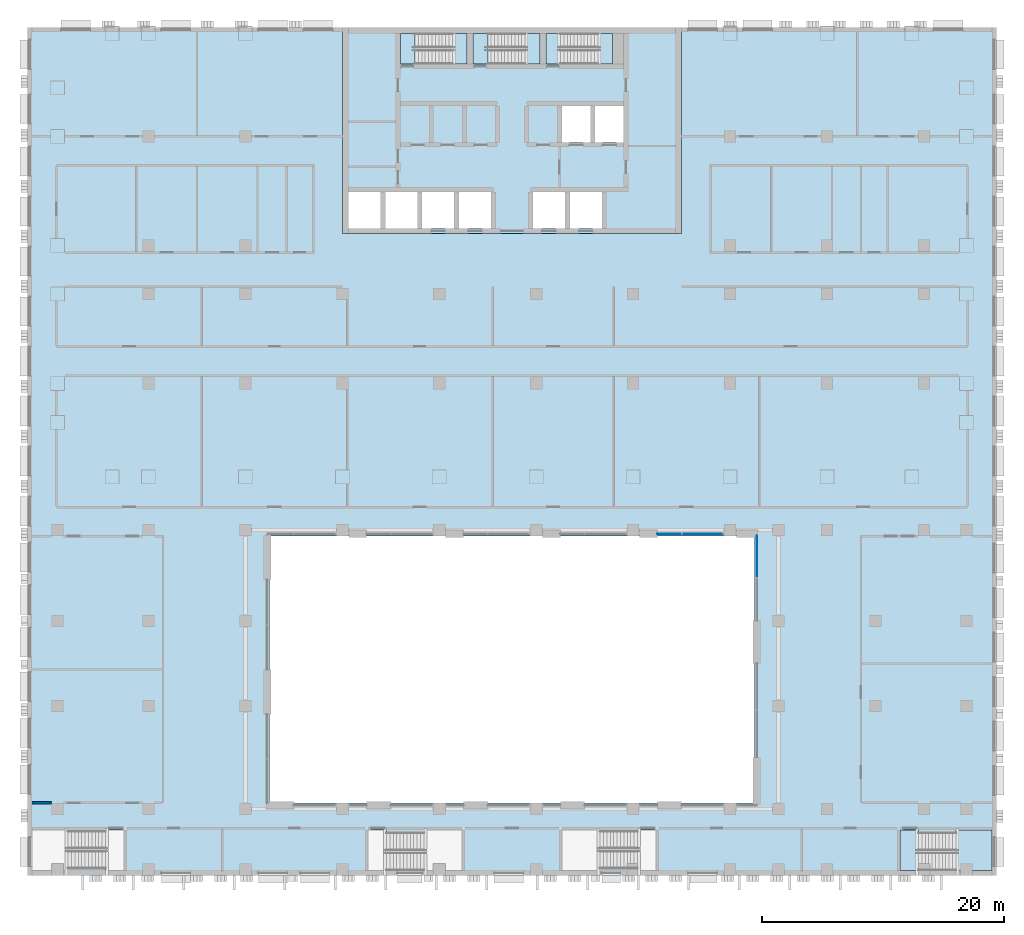
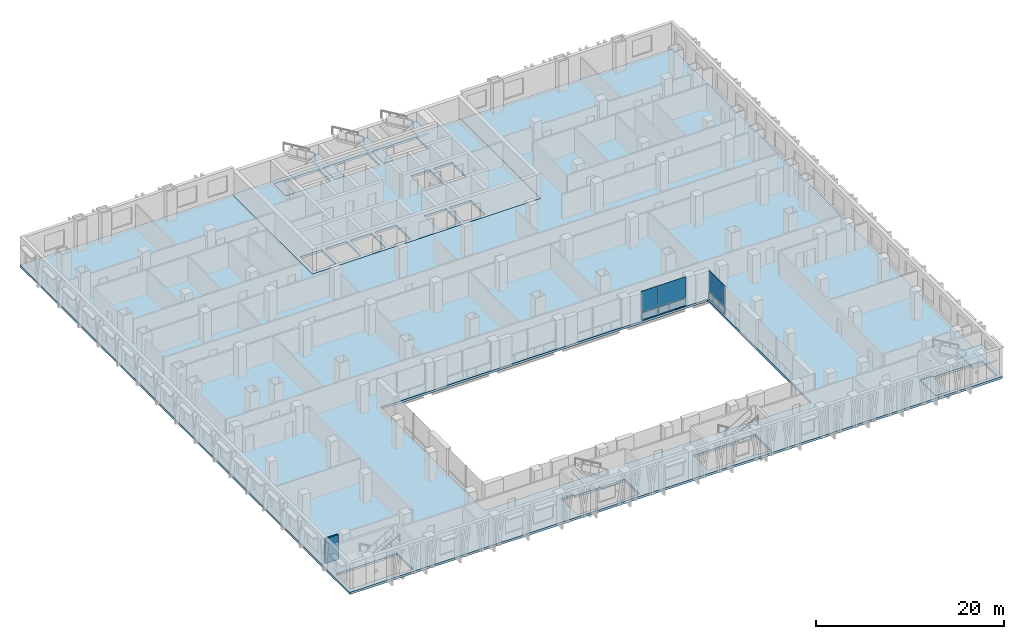
# One storey, part 6 of 24: 10 slabs, 6 plates, 1 wall, 6 elements without a shape of their own.
"""IFC4 building model written with IfcOpenShell, lengths in metres."""

from ifc_helpers import new_model, si_unit, direction, frame, frame_2d, origin, origin_2d, place, context, subcontext, project, spatial, polyline, rectangle, outline, extrude, material, layer, layer_set, type_object, element, aggregate, save


model = new_model("IFC4")

# Units and contexts
model_context = context("Model", 3, precision=1e-05, world=origin(), true_north=direction((0.0, 1.0)))
body_context = subcontext(model_context, "Body", "Model", "MODEL_VIEW")
ifc_project = project(units=[si_unit("LENGTHUNIT", "METRE"), si_unit("AREAUNIT", "SQUARE_METRE"), si_unit("VOLUMEUNIT", "CUBIC_METRE"), si_unit("PLANEANGLEUNIT", "RADIAN"), si_unit("MASSUNIT", "GRAM", prefix="KILO")], contexts=[model_context])

# Site, building, storey
site_placement = place(None, origin())
site = spatial("IfcSite", under=ifc_project, at=site_placement, CompositionType="ELEMENT")
building_placement = place(site_placement, origin())
building = spatial("IfcBuilding", under=site, at=building_placement, Name="Vidyagriha Tower", CompositionType="ELEMENT")
storey_placement = place(building_placement, frame((0.0, 0.0, 22.0)))
storey = spatial("IfcBuildingStorey", under=building, at=storey_placement, Name="L05", CompositionType="ELEMENT", Elevation=22.0)

# Curtain wall, plates
ifc_material_1 = material(Name="Aluminium and glass curtain wall", Category="aluminium")
curtain_wall_type = type_object("IfcCurtainWallType", Name="Atrium screen curtain wall", PredefinedType="USERDEFINED", material=ifc_material_1)
curtain_wall_1_placement = place(storey_placement, origin())
curtain_wall_1 = element("IfcCurtainWall", 1, at=curtain_wall_1_placement, inside=storey, type_object=curtain_wall_type, Name="CW6 atrium screen", ObjectType="UNITISED", PredefinedType="USERDEFINED")
ifc_material_2 = material(Name="Glass dark ceramic-fritted spandrel", Category="glass")
ifc_layer_1 = layer(ifc_material_2, 0.0400390625)
ifc_layer_set_1 = layer_set([ifc_layer_1], Name="Glass dark ceramic-fritted spandrel")
plate_type_1 = type_object("IfcPlateType", Name="Ceramic-fritted spandrel panel", PredefinedType="CURTAIN_PANEL", material=ifc_layer_set_1)
plate_1_placement = place(storey_placement, frame((12.982421875, -21.800048828125, 0.0)))
plate_1 = element("IfcPlate", 2, at=plate_1_placement, type_object=plate_type_1, Name="CW6 panel 1.1", PredefinedType="CURTAIN_PANEL", context=body_context, shape_type="SweptSolid", body=[
    extrude(rectangle(XDim=1.965087890625, YDim=0.0400390625, at=origin_2d()), origin(), (0.0, 0.0, 1.0), 0.85009765625),
])
plate_2_placement = place(storey_placement, frame((15.717529296875, -21.800048828125, 0.0)))
plate_2 = element("IfcPlate", 3, at=plate_2_placement, type_object=plate_type_1, Name="CW6 panel 2.1", PredefinedType="CURTAIN_PANEL", context=body_context, shape_type="SweptSolid", body=[
    extrude(rectangle(XDim=3.364990234375, YDim=0.0400390625, at=origin_2d()), origin(), (0.0, 0.0, 1.0), 0.85009765625),
])

# Curtain wall, plate
curtain_wall_2_placement = place(storey_placement, origin())
curtain_wall_2 = element("IfcCurtainWall", 4, at=curtain_wall_2_placement, inside=storey, type_object=curtain_wall_type, Name="CW6 atrium screen", ObjectType="UNITISED", PredefinedType="USERDEFINED")
plate_3_placement = place(storey_placement, frame((20.199951171875, -23.66748046875, 0.0), z_axis=(0.0, 0.0, 1.0), x_axis=(0.0, -1.0, 0.0)))
plate_3 = element("IfcPlate", 5, at=plate_3_placement, type_object=plate_type_1, Name="CW6 panel 1.1", PredefinedType="CURTAIN_PANEL", context=body_context, shape_type="SweptSolid", body=[
    extrude(rectangle(XDim=3.43505859375, YDim=0.0400390625, at=origin_2d()), origin(), (0.0, 0.0, 1.0), 0.85009765625),
])

# Slab
ifc_material_3 = material(Name="Concrete C60/75", Category="concrete")
ifc_layer_2 = layer(ifc_material_3, 0.300048828125)
ifc_layer_set_2 = layer_set([ifc_layer_2], Name="Concrete C60/75")
slab_type_1 = type_object("IfcSlabType", Name="Core floor slab 300 mm", PredefinedType="FLOOR", material=ifc_layer_set_2)
slab_1_placement = place(storey_placement, frame((0.0, 0.0, -0.300048828125)))
element("IfcSlab", 6, at=slab_1_placement, inside=storey, type_object=slab_type_1, Name="L05 core floor 1", PredefinedType="FLOOR", context=body_context, shape_type="SweptSolid", body=[
    extrude(outline(polyline([(-14.0, 3.0), (-14.0, 20.0), (14.0, 20.0), (14.0, 3.0), (-14.0, 3.0)]), holes=[polyline([(9.199951171875, 13.5), (6.86669921875, 13.5), (6.86669921875, 10.5), (9.199951171875, 10.5), (9.199951171875, 13.5)]), polyline([(4.0, 19.5), (2.800048828125, 19.5), (2.800048828125, 16.949951171875), (4.0, 16.949951171875), (8.300048828125, 16.949951171875), (8.300048828125, 19.5), (4.0, 19.5)]), polyline([(7.4111328125, 6.39990234375), (4.7666015625, 6.39990234375), (4.7666015625, 3.39990234375), (7.4111328125, 3.39990234375), (7.4111328125, 6.39990234375)]), polyline([(6.466796875, 13.5), (4.13330078125, 13.5), (4.13330078125, 10.5), (6.466796875, 10.5), (6.466796875, 13.5)]), polyline([(1.72216796875, 6.39990234375), (1.72216796875, 3.39990234375), (4.36669921875, 3.39990234375), (4.36669921875, 6.39990234375), (1.72216796875, 6.39990234375)]), polyline([(-2.0, 16.949951171875), (2.300048828125, 16.949951171875), (2.300048828125, 19.5), (-2.0, 19.5), (-3.199951171875, 19.5), (-3.199951171875, 16.949951171875), (-2.0, 16.949951171875)]), polyline([(-1.72216796875, 6.39990234375), (-4.36669921875, 6.39990234375), (-4.36669921875, 3.39990234375), (-1.72216796875, 3.39990234375), (-1.72216796875, 6.39990234375)]), polyline([(-8.0, 19.5), (-9.199951171875, 19.5), (-9.199951171875, 16.949951171875), (-8.0, 16.949951171875), (-3.699951171875, 16.949951171875), (-3.699951171875, 19.5), (-8.0, 19.5)]), polyline([(-4.7666015625, 6.39990234375), (-7.4111328125, 6.39990234375), (-7.4111328125, 3.39990234375), (-4.7666015625, 3.39990234375), (-4.7666015625, 6.39990234375)]), polyline([(-7.81103515625, 6.39990234375), (-10.45556640625, 6.39990234375), (-10.45556640625, 3.39990234375), (-7.81103515625, 3.39990234375), (-7.81103515625, 6.39990234375)]), polyline([(-13.5, 6.39990234375), (-13.5, 3.39990234375), (-10.855712890625, 3.39990234375), (-10.855712890625, 6.39990234375), (-13.5, 6.39990234375)])]), origin(), (0.0, 0.0, 1.0), 0.300048828125),
])

# Plate
ifc_material_4 = material(Name="Glass dark ceramic-fritted", Category="glass")
ifc_layer_3 = layer(ifc_material_4, 0.028076171875)
ifc_layer_set_3 = layer_set([ifc_layer_3], Name="Glass dark ceramic-fritted")
plate_type_2 = type_object("IfcPlateType", Name="Dark ceramic-fritted vision glass panel", PredefinedType="CURTAIN_PANEL", material=ifc_layer_set_3)
plate_4_placement = place(storey_placement, frame((12.982421875, -21.800048828125, 0.949951171875)))
plate_4 = element("IfcPlate", 7, at=plate_4_placement, type_object=plate_type_2, Name="CW6 panel 1.2", PredefinedType="CURTAIN_PANEL", context=body_context, shape_type="SweptSolid", body=[
    extrude(rectangle(XDim=1.965087890625, YDim=0.028076171875, at=origin_2d()), origin(), (0.0, 0.0, 1.0), 2.75),
])

plate_5_placement = place(storey_placement, frame((15.717529296875, -21.800048828125, 0.949951171875)))
plate_5 = element("IfcPlate", 8, at=plate_5_placement, type_object=plate_type_2, Name="CW6 panel 2.2", PredefinedType="CURTAIN_PANEL", context=body_context, shape_type="SweptSolid", body=[
    extrude(rectangle(XDim=3.364990234375, YDim=0.028076171875, at=origin_2d()), origin(), (0.0, 0.0, 1.0), 2.75),
])

aggregate(curtain_wall_1, [plate_1, plate_4, plate_2, plate_5])

plate_6_placement = place(storey_placement, frame((20.199951171875, -23.66748046875, 0.949951171875), z_axis=(0.0, 0.0, 1.0), x_axis=(0.0, -1.0, 0.0)))
plate_6 = element("IfcPlate", 9, at=plate_6_placement, type_object=plate_type_2, Name="CW6 panel 1.2", PredefinedType="CURTAIN_PANEL", context=body_context, shape_type="SweptSolid", body=[
    extrude(rectangle(XDim=3.43505859375, YDim=0.028076171875, at=origin_2d()), origin(), (0.0, 0.0, 1.0), 2.75),
])

aggregate(curtain_wall_2, [plate_3, plate_6])

# Slabs
ifc_material_5 = material(Name="Concrete C40/50", Category="concrete")
ifc_layer_4 = layer(ifc_material_5, 0.300048828125)
ifc_layer_set_4 = layer_set([ifc_layer_4], Name="Concrete C40/50")
slab_type_2 = type_object("IfcSlabType", Name="Exit stair floor landing 300 mm", PredefinedType="LANDING", material=ifc_layer_set_4)
slab_2_placement = place(storey_placement, frame((0.0, 0.0, -0.300048828125)))
element("IfcSlab", 10, at=slab_2_placement, inside=storey, type_object=slab_type_2, Name="ST1 floor landing L05", PredefinedType="LANDING", context=body_context, shape_type="SweptSolid", body=[
    extrude(outline(polyline([(-9.199951171875, 16.949951171875), (-8.0, 16.949951171875), (-8.0, 19.5), (-9.199951171875, 19.5), (-9.199951171875, 16.949951171875)])), origin(), (0.0, 0.0, 1.0), 0.300048828125),
])
slab_3_placement = place(storey_placement, frame((0.0, 0.0, -0.300048828125)))
element("IfcSlab", 11, at=slab_3_placement, inside=storey, type_object=slab_type_2, Name="ST2 floor landing L05", PredefinedType="LANDING", context=body_context, shape_type="SweptSolid", body=[
    extrude(outline(polyline([(-3.199951171875, 16.949951171875), (-2.0, 16.949951171875), (-2.0, 19.5), (-3.199951171875, 19.5), (-3.199951171875, 16.949951171875)])), origin(), (0.0, 0.0, 1.0), 0.300048828125),
])
slab_4_placement = place(storey_placement, frame((0.0, 0.0, -0.300048828125)))
element("IfcSlab", 12, at=slab_4_placement, inside=storey, type_object=slab_type_2, Name="ST3 floor landing L05", PredefinedType="LANDING", context=body_context, shape_type="SweptSolid", body=[
    extrude(outline(polyline([(2.800048828125, 16.949951171875), (4.0, 16.949951171875), (4.0, 19.5), (2.800048828125, 19.5), (2.800048828125, 16.949951171875)])), origin(), (0.0, 0.0, 1.0), 0.300048828125),
])

# Stair, slab
ifc_material_6 = material(Name="Concrete C40/50", Category="concrete")
stair_type_1 = type_object("IfcStairType", Name="Exit stair, half-turn, precast flights", PredefinedType="HALF_TURN_STAIR", material=ifc_material_6)
stair_1_placement = place(storey_placement, origin())
stair_1 = element("IfcStair", 13, at=stair_1_placement, inside=storey, type_object=stair_type_1, Name="L05 Exit Stair ST1", PredefinedType="HALF_TURN_STAIR")
ifc_material_7 = material(Name="Concrete C40/50", Category="concrete")
ifc_layer_5 = layer(ifc_material_7, 0.199951171875)
ifc_layer_set_5 = layer_set([ifc_layer_5], Name="Concrete C40/50")
slab_type_3 = type_object("IfcSlabType", Name="Exit stair landing 200 mm", PredefinedType="LANDING", material=ifc_layer_set_5)
slab_5_placement = place(storey_placement, frame((0.0, 0.0, 1.800048828125)))
slab_5 = element("IfcSlab", 14, at=slab_5_placement, type_object=slab_type_3, Name="ST1 landing 1", PredefinedType="LANDING", context=body_context, shape_type="SweptSolid", body=[
    extrude(outline(polyline([(-4.919921875, 16.949951171875), (-3.699951171875, 16.949951171875), (-3.699951171875, 19.5), (-4.919921875, 19.5), (-4.919921875, 16.949951171875)])), origin(), (0.0, 0.0, 1.0), 0.199951171875),
])
aggregate(stair_1, [slab_5])

stair_2_placement = place(storey_placement, origin())
stair_2 = element("IfcStair", 15, at=stair_2_placement, inside=storey, type_object=stair_type_1, Name="L05 Exit Stair ST2", PredefinedType="HALF_TURN_STAIR")
slab_6_placement = place(storey_placement, frame((0.0, 0.0, 1.800048828125)))
slab_6 = element("IfcSlab", 16, at=slab_6_placement, type_object=slab_type_3, Name="ST2 landing 1", PredefinedType="LANDING", context=body_context, shape_type="SweptSolid", body=[
    extrude(outline(polyline([(1.080078125, 16.949951171875), (2.300048828125, 16.949951171875), (2.300048828125, 19.5), (1.080078125, 19.5), (1.080078125, 16.949951171875)])), origin(), (0.0, 0.0, 1.0), 0.199951171875),
])
aggregate(stair_2, [slab_6])

stair_3_placement = place(storey_placement, origin())
stair_3 = element("IfcStair", 17, at=stair_3_placement, inside=storey, type_object=stair_type_1, Name="L05 Exit Stair ST3", PredefinedType="HALF_TURN_STAIR")
slab_7_placement = place(storey_placement, frame((0.0, 0.0, 1.800048828125)))
slab_7 = element("IfcSlab", 18, at=slab_7_placement, type_object=slab_type_3, Name="ST3 landing 1", PredefinedType="LANDING", context=body_context, shape_type="SweptSolid", body=[
    extrude(outline(polyline([(7.080078125, 16.949951171875), (8.300048828125, 16.949951171875), (8.300048828125, 19.5), (7.080078125, 19.5), (7.080078125, 16.949951171875)])), origin(), (0.0, 0.0, 1.0), 0.199951171875),
])
aggregate(stair_3, [slab_7])

ifc_material_8 = material(Name="Concrete C32/40", Category="concrete")
stair_type_2 = type_object("IfcStairType", Name="Podium Exit Stair 1500", PredefinedType="HALF_TURN_STAIR", material=ifc_material_8)
stair_4_placement = place(storey_placement, origin())
stair_4 = element("IfcStair", 19, at=stair_4_placement, inside=storey, type_object=stair_type_2, Name="L05 Exit Stair PS2", PredefinedType="HALF_TURN_STAIR")
ifc_material_9 = material(Name="Concrete C32/40", Category="concrete")
ifc_layer_6 = layer(ifc_material_9, 0.199951171875)
ifc_layer_set_6 = layer_set([ifc_layer_6], Name="Concrete C32/40")
slab_type_4 = type_object("IfcSlabType", Name="Podium Stair Landing 200", PredefinedType="LANDING", material=ifc_layer_set_6)
slab_8_placement = place(storey_placement, frame((0.0, 0.0, 1.800048828125)))
slab_8 = element("IfcSlab", 20, at=slab_8_placement, type_object=slab_type_4, Name="PS2 landing 1", PredefinedType="LANDING", context=body_context, shape_type="SweptSolid", body=[
    extrude(outline(polyline([(36.625, -49.60009765625), (39.60009765625, -49.60009765625), (39.60009765625, -46.22509765625), (36.625, -46.22509765625), (36.625, -49.60009765625)])), origin(), (0.0, 0.0, 1.0), 0.199951171875),
])
aggregate(stair_4, [slab_8])

# Slabs
ifc_material_10 = material(Name="Concrete C32/40", Category="concrete")
ifc_layer_7 = layer(ifc_material_10, 0.300048828125)
ifc_layer_set_7 = layer_set([ifc_layer_7], Name="Concrete C32/40")
slab_type_5 = type_object("IfcSlabType", Name="Podium stair floor landing 300 mm", PredefinedType="LANDING", material=ifc_layer_set_7)
slab_9_placement = place(storey_placement, frame((0.0, 0.0, -0.300048828125)))
element("IfcSlab", 21, at=slab_9_placement, inside=storey, type_object=slab_type_5, Name="PS2 floor landing L05", PredefinedType="LANDING", context=body_context, shape_type="SweptSolid", body=[
    extrude(outline(polyline([(32.02490234375, -49.60009765625), (33.544921875, -49.60009765625), (33.544921875, -46.22509765625), (32.02490234375, -46.22509765625), (32.02490234375, -49.60009765625)])), origin(), (0.0, 0.0, 1.0), 0.300048828125),
])
ifc_material_11 = material(Name="Concrete C50/60", Category="concrete")
ifc_layer_8 = layer(ifc_material_11, 0.300048828125)
ifc_layer_set_8 = layer_set([ifc_layer_8], Name="Concrete C50/60")
slab_type_6 = type_object("IfcSlabType", Name="Post-tensioned flat plate 300", PredefinedType="FLOOR", material=ifc_layer_set_8)
slab_10_placement = place(storey_placement, frame((0.0, 0.0, -0.300048828125)))
element("IfcSlab", 22, at=slab_10_placement, inside=storey, type_object=slab_type_6, Name="st-slab-L05-1", PredefinedType="FLOOR", context=body_context, shape_type="SweptSolid", body=[
    extrude(outline(polyline([(-40.0, 20.0), (-14.0, 20.0), (-14.0, 3.0), (14.0, 3.0), (14.0, 20.0), (40.0, 20.0), (40.0, -50.0), (-40.0, -50.0), (-40.0, 20.0)]), holes=[polyline([(-20.0, -22.0), (-20.0, -44.0), (20.0, -44.0), (20.0, -22.0), (-20.0, -22.0)]), polyline([(-33.544921875, -46.22509765625), (-33.544921875, -46.300048828125), (-39.574951171875, -46.300048828125), (-39.574951171875, -49.449951171875), (-33.544921875, -49.449951171875), (-33.544921875, -49.60009765625), (-32.02490234375, -49.60009765625), (-32.02490234375, -46.22509765625), (-33.544921875, -46.22509765625)]), polyline([(39.574951171875, -49.60009765625), (39.574951171875, -46.449951171875), (33.544921875, -46.449951171875), (33.544921875, -46.22509765625), (32.02490234375, -46.22509765625), (32.02490234375, -49.60009765625), (33.544921875, -49.60009765625), (39.574951171875, -49.60009765625)]), polyline([(-11.875, -49.60009765625), (-10.35498046875, -49.60009765625), (-4.2548828125, -49.60009765625), (-4.2548828125, -46.449951171875), (-10.35498046875, -46.449951171875), (-10.35498046875, -46.22509765625), (-11.875, -46.22509765625), (-11.875, -49.60009765625)]), polyline([(4.2548828125, -46.300048828125), (4.2548828125, -49.449951171875), (10.35498046875, -49.449951171875), (10.35498046875, -49.60009765625), (11.875, -49.60009765625), (11.875, -46.22509765625), (10.35498046875, -46.22509765625), (10.35498046875, -46.300048828125), (4.2548828125, -46.300048828125)])]), origin(), (0.0, 0.0, 1.0), 0.300048828125),
])

# Wall
ifc_material_12 = material(Name="Fire rated gypsum board on light gauge framing")
ifc_layer_9 = layer(ifc_material_12, 0.199951171875)
ifc_layer_set_9 = layer_set([ifc_layer_9], Name="Fire rated gypsum board on light gauge framing")
wall_type = type_object("IfcWallType", Name="Fire Rated Corridor Wall 200", PredefinedType="PARTITIONING", material=ifc_layer_set_9)
wall_placement = place(storey_placement, frame((-39.60009765625, -44.0, 0.0)))
element("IfcWall", 23, at=wall_placement, inside=storey, type_object=wall_type, Name="L05 Fire Rated Corridor Wall 200 007", PredefinedType="PARTITIONING", context=body_context, shape_type="SweptSolid", body=[
    extrude(rectangle(XDim=1.60009765625, YDim=0.199951171875, at=frame_2d((0.800048828125, 0.0))), origin(), (0.0, 0.0, 1.0), 3.199951171875),
])

save(model, "model.ifc")
